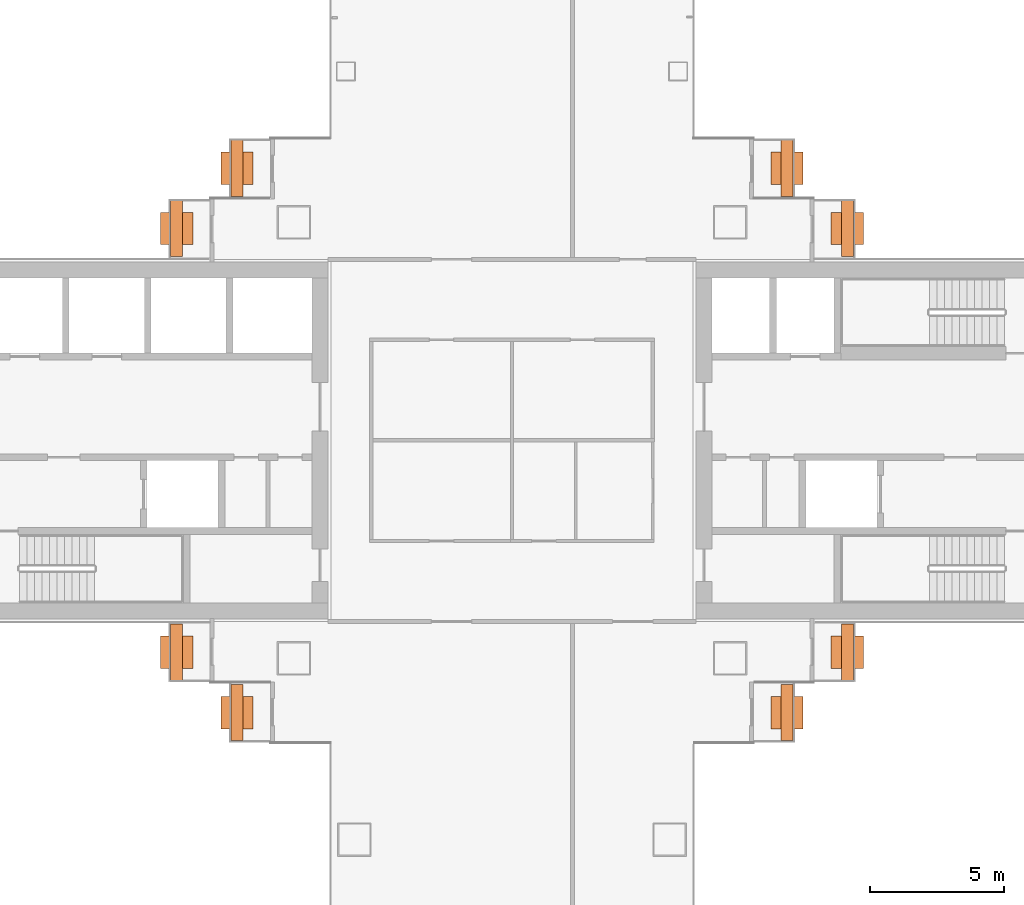
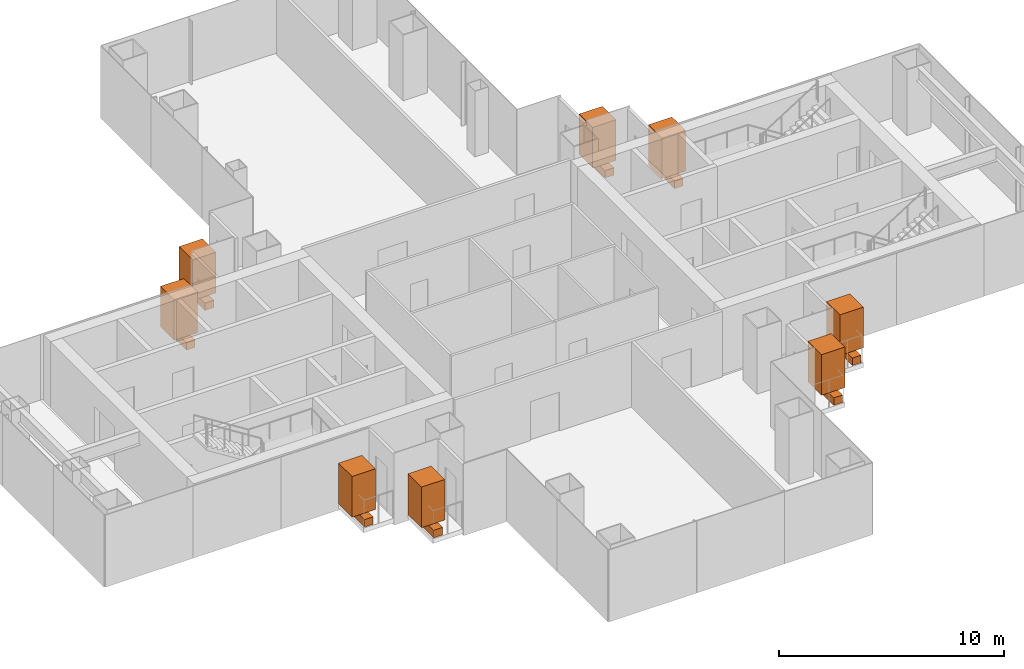
# One storey, part 19 of 19: 8 geographic elements, 8 proxies.
"""IFC4 building model written with IfcOpenShell, lengths in metres."""

import ifcopenshell
import ifcopenshell.guid

model = None  # the IFC model being written
_history = None  # IfcOwnerHistory: only IFC2X3 demands one
_inside = {}  # id of a spatial element -> (the spatial element, [elements in it])
_under = {}  # id of a project, library or spatial element -> (it, [spatial elements below it])
_declared = {}  # id of a project -> (the project, [libraries it declares])
_typed = {}  # id of a type object -> (the type object, [elements of that type])
_made_of = {}  # id of a material, layer set ... -> (it, [elements and type objects made of it])


def new_model(schema):
    """Start an empty IFC model of exactly this schema.

    Asked for "IFC4X3", IfcOpenShell would pick the latest addendum, in which some entities
    have other attributes; the version numbers below select the first issue.
    IFC2X3 requires an IfcOwnerHistory on every rooted entity: one is made here for all.
    """
    global model, _history
    if schema == "IFC4X3":
        model = ifcopenshell.file(schema_version=(4, 3, 0, 0))
    else:
        model = ifcopenshell.file(schema=schema)
    _inside.clear()
    _under.clear()
    _declared.clear()
    _typed.clear()
    _made_of.clear()
    _history = None
    if model.schema == "IFC2X3":
        org = make("IfcOrganization", Name="unknown")
        user = make(
            "IfcPersonAndOrganization",
            ThePerson=make("IfcPerson", FamilyName="unknown"),
            TheOrganization=org,
        )
        app = make(
            "IfcApplication",
            ApplicationDeveloper=org,
            Version="unknown",
            ApplicationFullName="unknown",
            ApplicationIdentifier="unknown",
        )
        _history = make(
            "IfcOwnerHistory",
            OwningUser=user,
            OwningApplication=app,
            ChangeAction="ADDED",
            CreationDate=0,
        )
    return model


def make(cls, **values):
    """One entity of the class cls with the attributes given. An attribute that is None is left unset."""
    return model.create_entity(
        cls, **{name: value for name, value in values.items() if value is not None}
    )


def rooted(cls, **values):
    """An entity with a GlobalId (a new one), such as an element, a storey or a relation."""
    return make(cls, GlobalId=ifcopenshell.guid.new(), OwnerHistory=_history, **values)


def si_unit(unit_type, name, prefix=None):
    """IfcSIUnit, for example si_unit("LENGTHUNIT", "METRE", prefix="MILLI")."""
    return make("IfcSIUnit", UnitType=unit_type, Prefix=prefix, Name=name)


def assignment(units):
    """IfcUnitAssignment: the units of a project."""
    return None if units is None else make("IfcUnitAssignment", Units=units)


def point(xyz):
    """IfcCartesianPoint."""
    return None if xyz is None else make("IfcCartesianPoint", Coordinates=xyz)


def direction(xyz):
    """IfcDirection."""
    return None if xyz is None else make("IfcDirection", DirectionRatios=xyz)


def frame(location, z_axis=None, x_axis=None):
    """IfcAxis2Placement3D, a coordinate frame: its origin and axes. An axis left out is left unset."""
    return make(
        "IfcAxis2Placement3D",
        Location=point(location),
        Axis=direction(z_axis),
        RefDirection=direction(x_axis),
    )


def frame_2d(location, x_axis=None):
    """IfcAxis2Placement2D, a coordinate frame in the plane: its origin and x axis."""
    return make(
        "IfcAxis2Placement2D", Location=point(location), RefDirection=direction(x_axis)
    )


def origin():
    """The frame at (0, 0, 0) with its axes left unset."""
    return frame((0.0, 0.0, 0.0))


def origin_2d():
    """The frame at (0, 0) in the plane with its x axis left unset."""
    return frame_2d((0.0, 0.0))


def place(relative_to, where):
    """IfcLocalPlacement: puts the frame where relative to a parent placement (None: the world)."""
    return make(
        "IfcLocalPlacement", PlacementRelTo=relative_to, RelativePlacement=where
    )


def context(
    kind, dimensions, precision=None, world=None, true_north=None, identifier=None
):
    """IfcGeometricRepresentationContext, for example the 3D "Model" context."""
    return make(
        "IfcGeometricRepresentationContext",
        ContextIdentifier=identifier,
        ContextType=kind,
        CoordinateSpaceDimension=dimensions,
        Precision=precision,
        WorldCoordinateSystem=world,
        TrueNorth=true_north,
    )


def subcontext(parent, identifier, kind, view, scale=None):
    """IfcGeometricRepresentationSubContext, for example "Body" below "Model"."""
    return make(
        "IfcGeometricRepresentationSubContext",
        ContextIdentifier=identifier,
        ContextType=kind,
        ParentContext=parent,
        TargetScale=scale,
        TargetView=view,
    )


def project(units=None, contexts=None):
    """IfcProject with its units and contexts."""
    return rooted(
        "IfcProject",
        Name="project",
        RepresentationContexts=contexts,
        UnitsInContext=assignment(units),
    )


def spatial(cls, under=None, at=None, **own):
    """A site, building, storey or space (cls), placed at a placement, below another one or the project."""
    s = rooted(cls, ObjectPlacement=at, **own)
    if under is not None:
        _under.setdefault(under.id(), (under, []))[1].append(s)
    return s


def profile(cls, at=None, kind="AREA", **sizes):
    """A parametric profile (cls). Its sizes go by their IFC names, for example OverallWidth=200.0."""
    return make(cls, ProfileType=kind, Position=at, **sizes)


def rectangle(**sizes):
    """IfcRectangleProfileDef."""
    return profile("IfcRectangleProfileDef", **sizes)


def extrude(swept, where, along, depth):
    """IfcExtrudedAreaSolid: the profile swept, set in the frame where, extruded along a direction by depth."""
    return make(
        "IfcExtrudedAreaSolid",
        SweptArea=swept,
        Position=where,
        ExtrudedDirection=direction(along),
        Depth=depth,
    )


def shape(context_of_items, identifier, shape_type, items):
    """IfcShapeRepresentation: the items that make up one representation, for example the "Body"."""
    return make(
        "IfcShapeRepresentation",
        ContextOfItems=context_of_items,
        RepresentationIdentifier=identifier,
        RepresentationType=shape_type,
        Items=items,
    )


def material(Name=None, Category=None):
    """IfcMaterial."""
    return make("IfcMaterial", Name=Name, Category=Category)


def made_of(thing, what):
    """Note that an element or type object is made of a material, layer set ...; save() writes the relation."""
    if what is not None:
        _made_of.setdefault(what.id(), (what, []))[1].append(thing)
    return thing


def type_object(cls, material=None, **own):
    """A type object (cls), such as IfcWallType, which elements share."""
    return made_of(rooted(cls, **own), material)


def element(
    cls,
    number,
    at=None,
    inside=None,
    cuts=None,
    type_object=None,
    material=None,
    context=None,
    identifier="Body",
    shape_type=None,
    held_by="IfcProductDefinitionShape",
    body=None,
    shapes=None,
    **own,
):
    """One element of the class cls, such as IfcWall. Its Tag is "e" and its number.

    at: its placement. inside: the storey or other place that contains it. cuts: it is an
    opening in that element (IfcRelVoidsElement). A single representation is given by context,
    identifier, shape_type and body (its items); several are given by shapes. held_by: the class
    of the entity that holds the representations. save() writes the other relations.
    """
    e = rooted(cls, Tag="e%d" % number, ObjectPlacement=at, **own)
    if body is not None:
        shapes = [shape(context, identifier, shape_type, body)]
    if shapes is not None:
        e.Representation = make(held_by, Representations=shapes)
    if inside is not None:
        _inside.setdefault(inside.id(), (inside, []))[1].append(e)
    if cuts is not None:
        rooted(
            "IfcRelVoidsElement", RelatingBuildingElement=cuts, RelatedOpeningElement=e
        )
    if type_object is not None:
        _typed.setdefault(type_object.id(), (type_object, []))[1].append(e)
    return made_of(e, material)


def aggregate(whole, parts):
    """IfcRelAggregates: a whole, such as a stair, and the parts it consists of."""
    return rooted("IfcRelAggregates", RelatingObject=whole, RelatedObjects=parts)


def save(model, path):
    """Write the relations noted so far, then the file.

    IfcRelAggregates (storeys below a building ...), IfcRelContainedInSpatialStructure (elements
    in a storey), IfcRelDefinesByType, IfcRelAssociatesMaterial and IfcRelDeclares: one each for
    every whole, place, type object, material and project.
    """
    for whole, parts in _under.values():
        aggregate(whole, parts)
    for where, things in _inside.values():
        rooted(
            "IfcRelContainedInSpatialStructure",
            RelatedElements=things,
            RelatingStructure=where,
        )
    for kind, things in _typed.values():
        rooted("IfcRelDefinesByType", RelatedObjects=things, RelatingType=kind)
    for what, things in _made_of.values():
        rooted("IfcRelAssociatesMaterial", RelatedObjects=things, RelatingMaterial=what)
    for by, libraries in _declared.values():
        rooted("IfcRelDeclares", RelatingContext=by, RelatedDefinitions=libraries)
    model.write(path)


model = new_model("IFC4")

# Units and contexts
model_context = context("Model", 3, precision=1e-05, world=origin(), true_north=direction((0.0, 1.0)))
body_context = subcontext(model_context, "Body", "Model", "MODEL_VIEW")
ifc_project = project(units=[si_unit("LENGTHUNIT", "METRE"), si_unit("AREAUNIT", "SQUARE_METRE"), si_unit("VOLUMEUNIT", "CUBIC_METRE"), si_unit("PLANEANGLEUNIT", "RADIAN"), si_unit("MASSUNIT", "GRAM", prefix="KILO")], contexts=[model_context])

# Site, building, storey
site_placement = place(None, origin())
site = spatial("IfcSite", under=ifc_project, at=site_placement, CompositionType="ELEMENT")
building_placement = place(site_placement, origin())
building = spatial("IfcBuilding", under=site, at=building_placement, Name="Shamsa Quay Exchange Towers", CompositionType="ELEMENT")
storey_placement = place(building_placement, frame((0.0, 0.0, 89.699951171875)))
storey = spatial("IfcBuildingStorey", under=building, at=storey_placement, Name="L20", CompositionType="ELEMENT", Elevation=89.699951171875)

# Proxies
ifc_material_1 = material(Name="Reinforced concrete C30/37, black glass-fibre faced", Category="concrete")
building_element_proxy_type = type_object("IfcBuildingElementProxyType", Name="BALCONY PLANTER", PredefinedType="USERDEFINED", material=ifc_material_1)
for number, where, z_axis, x_axis, name in (
    (1, (23.5048828125, 10.14404296875, 0.0), (0.0, 0.0, 1.0), (0.0, -1.0, 0.0), "PLANTER T2-PKEN L20"),
    (2, (21.2548828125, 7.89404296875, 0.0), (0.0, 0.0, 1.0), (0.0, -1.0, 0.0), "PLANTER T2-PKEN L20"),
    (3, (43.9951171875, 10.14404296875, 0.0), (0.0, 0.0, 1.0), (0.0, 1.0, 0.0), "PLANTER T2-PKES L20"),
    (4, (46.2451171875, 7.89404296875, 0.0), (0.0, 0.0, 1.0), (0.0, 1.0, 0.0), "PLANTER T2-PKES L20"),
    (5, (21.2548828125, -7.89404296875, 0.0), (0.0, 0.0, 1.0), (0.0, -1.0, 0.0), "PLANTER T2-PKWN L20"),
    (6, (23.5048828125, -10.14404296875, 0.0), (0.0, 0.0, 1.0), (0.0, -1.0, 0.0), "PLANTER T2-PKWN L20"),
    (7, (43.9951171875, -10.14404296875, 0.0), (0.0, 0.0, 1.0), (0.0, 1.0, 0.0), "PLANTER T2-PKWS L20"),
    (8, (46.2451171875, -7.89404296875, 0.0), (0.0, 0.0, 1.0), (0.0, 1.0, 0.0), "PLANTER T2-PKWS L20"),
):
    element("IfcBuildingElementProxy", number, at=place(storey_placement, frame(where, z_axis=z_axis, x_axis=x_axis)), inside=storey, type_object=building_element_proxy_type, Name=name, ObjectType="PLANTER", PredefinedType="USERDEFINED", context=body_context, shape_type="SweptSolid", body=[
        extrude(rectangle(XDim=2.092041015625, YDim=0.449951171875, at=origin_2d()), origin(), (0.0, 0.0, 1.0), 0.39990234375),
    ])

# Geographic elements
ifc_material_2 = material(Name="Planting")
geographic_element_type = type_object("IfcGeographicElementType", Name="BALCONY TREE", PredefinedType="USERDEFINED", material=ifc_material_2)
for number, where, z_axis, x_axis, name in (
    (9, (23.5048828125, 10.14404296875, 0.39990234375), (0.0, 0.0, 1.0), (0.0, -1.0, 0.0), "TREE T2-PKEN L20"),
    (10, (21.2548828125, 7.89404296875, 0.39990234375), (0.0, 0.0, 1.0), (0.0, -1.0, 0.0), "TREE T2-PKEN L20"),
    (11, (43.9951171875, 10.14404296875, 0.39990234375), (0.0, 0.0, 1.0), (0.0, 1.0, 0.0), "TREE T2-PKES L20"),
    (12, (46.2451171875, 7.89404296875, 0.39990234375), (0.0, 0.0, 1.0), (0.0, 1.0, 0.0), "TREE T2-PKES L20"),
    (13, (21.2548828125, -7.89404296875, 0.39990234375), (0.0, 0.0, 1.0), (0.0, -1.0, 0.0), "TREE T2-PKWN L20"),
    (14, (23.5048828125, -10.14404296875, 0.39990234375), (0.0, 0.0, 1.0), (0.0, -1.0, 0.0), "TREE T2-PKWN L20"),
    (15, (43.9951171875, -10.14404296875, 0.39990234375), (0.0, 0.0, 1.0), (0.0, 1.0, 0.0), "TREE T2-PKWS L20"),
    (16, (46.2451171875, -7.89404296875, 0.39990234375), (0.0, 0.0, 1.0), (0.0, 1.0, 0.0), "TREE T2-PKWS L20"),
):
    element("IfcGeographicElement", number, at=place(storey_placement, frame(where, z_axis=z_axis, x_axis=x_axis)), inside=storey, type_object=geographic_element_type, Name=name, ObjectType="TREE", PredefinedType="USERDEFINED", context=body_context, shape_type="SweptSolid", body=[
        extrude(rectangle(XDim=1.199951171875, YDim=1.199951171875, at=origin_2d()), origin(), (0.0, 0.0, 1.0), 2.199951171875),
    ])

save(model, "model.ifc")
